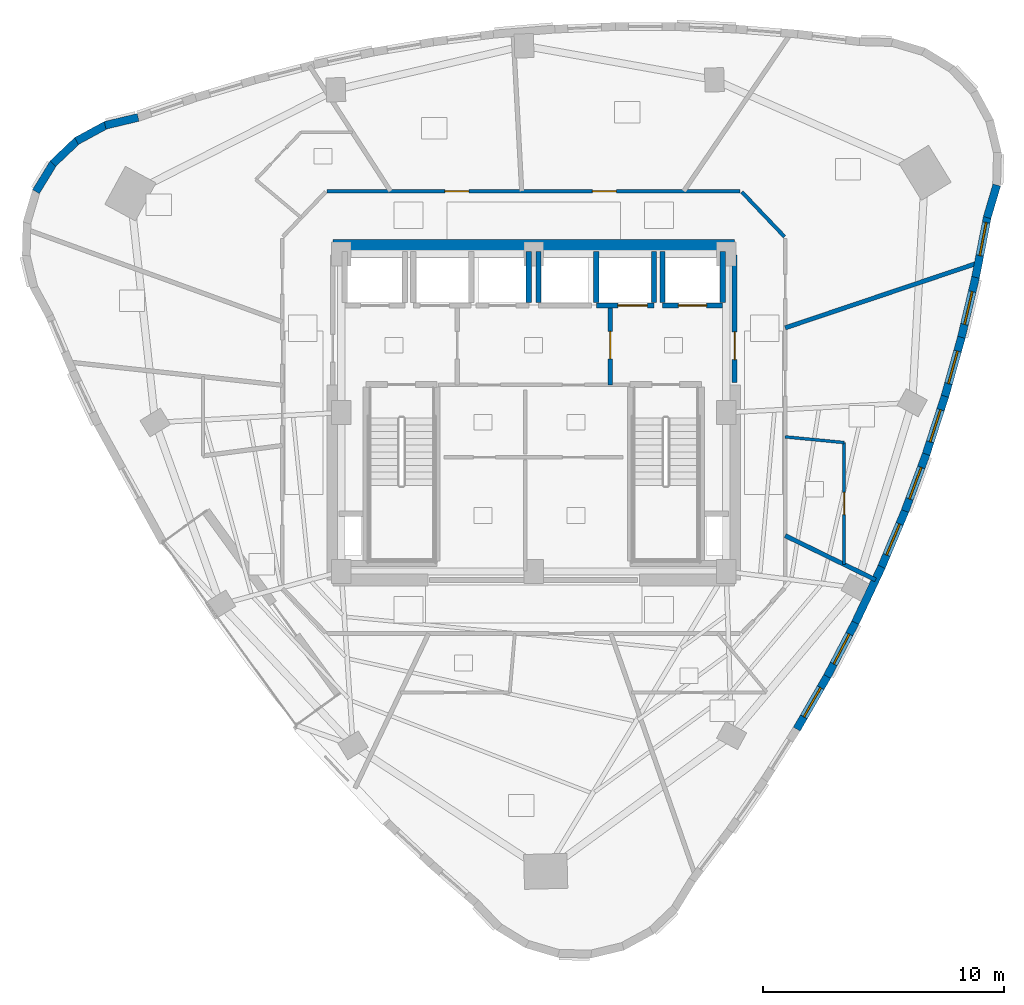
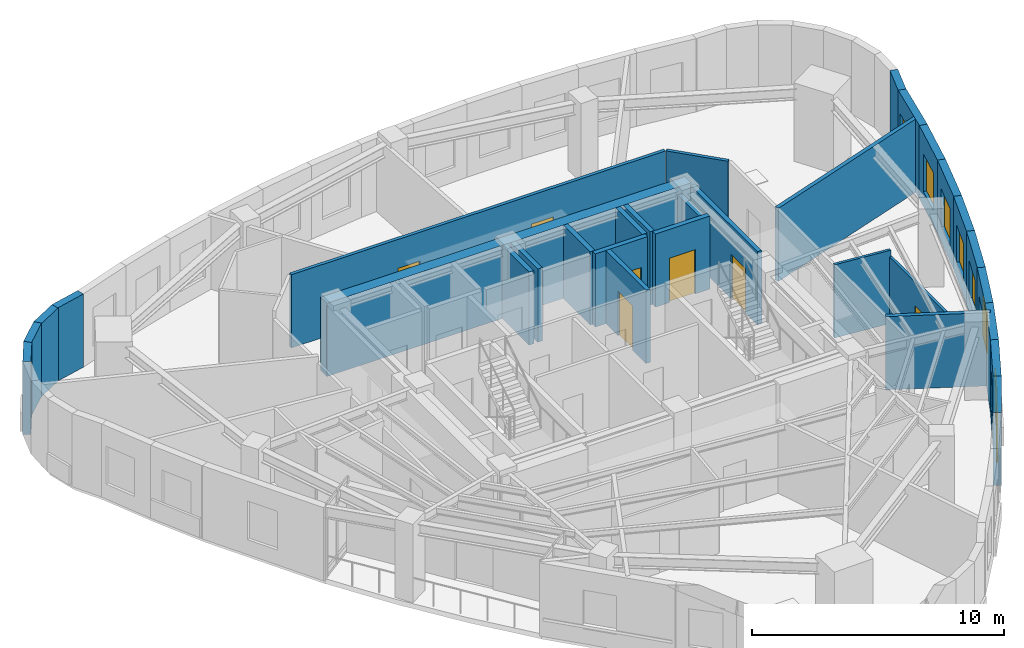
# One storey, part 8 of 12: 31 walls, 8 windows, 7 doors, 15 openings.
"""IFC4 building model written with IfcOpenShell, lengths in metres."""

from ifc_helpers import new_model, si_unit, direction, frame, frame_2d, origin, place, context, subcontext, project, spatial, rectangle, extrude, material, layer, layer_set, type_object, element, fill, save


model = new_model("IFC4")

# Units and contexts
model_context = context("Model", 3, precision=1e-05, world=origin(), true_north=direction((0.0, 1.0)))
body_context = subcontext(model_context, "Body", "Model", "MODEL_VIEW")
ifc_project = project(units=[si_unit("LENGTHUNIT", "METRE"), si_unit("AREAUNIT", "SQUARE_METRE"), si_unit("VOLUMEUNIT", "CUBIC_METRE"), si_unit("PLANEANGLEUNIT", "RADIAN"), si_unit("MASSUNIT", "GRAM", prefix="KILO")], contexts=[model_context])

# Site, building, storey
site_placement = place(None, origin())
site = spatial("IfcSite", under=ifc_project, at=site_placement, CompositionType="ELEMENT")
building_placement = place(site_placement, origin())
building = spatial("IfcBuilding", under=site, at=building_placement, Name="Ndelora Gate Hotel", CompositionType="ELEMENT")
storey_placement = place(building_placement, frame((0.0, 0.0, 232.14990234375)))
storey = spatial("IfcBuildingStorey", under=building, at=storey_placement, Name="L58", CompositionType="ELEMENT", Elevation=232.14990234375)

# Walls
ifc_material_1 = material(Name="Acoustic Double-Stud Gypsum Assembly", Category="gypsum")
ifc_layer_1 = layer(ifc_material_1, 0.179931640625)
ifc_layer_set_1 = layer_set([ifc_layer_1], Name="Acoustic Double-Stud Gypsum Assembly")
wall_type_1 = type_object("IfcWallType", Name="WL-ACOUST-180", PredefinedType="PARTITIONING", material=ifc_layer_set_1)
wall_1_placement = place(storey_placement, frame((10.449951171875, -5.1123046875, 0.0), z_axis=(0.0, 0.0, 1.0), x_axis=(0.89827266013, -0.439438537298, 0.0)))
element("IfcWall", 1, at=wall_1_placement, inside=storey, type_object=wall_type_1, Name="L58 Interior Wall IW-3", PredefinedType="PARTITIONING", context=body_context, shape_type="SweptSolid", body=[
    extrude(rectangle(XDim=4.178955078125, YDim=0.179931640625, at=frame_2d((2.08935546875, 0.0))), origin(), (0.0, 0.0, 1.0), 3.550048828125),
])
wall_2_placement = place(storey_placement, frame((10.449951171875, 3.52099609375, 0.0), z_axis=(0.0, 0.0, 1.0), x_axis=(0.947649729023, 0.319311745919, 0.0)))
element("IfcWall", 2, at=wall_2_placement, inside=storey, type_object=wall_type_1, Name="L58 Interior Wall IW-3", PredefinedType="PARTITIONING", context=body_context, shape_type="SweptSolid", body=[
    extrude(rectangle(XDim=8.473876953125, YDim=0.179931640625, at=frame_2d((4.23681640625, 0.0))), origin(), (0.0, 0.0, 1.0), 3.550048828125),
])
ifc_material_2 = material(Name="Clay Brick Masonry", Category="masonry")
ifc_layer_2 = layer(ifc_material_2, 0.330078125)
ifc_layer_set_2 = layer_set([ifc_layer_2], Name="Clay Brick Masonry")
wall_type_2 = type_object("IfcWallType", Name="WL-BRICK-330", PredefinedType="SOLIDWALL", material=ifc_layer_set_2)
wall_3_placement = place(storey_placement, frame((-17.809326171875, 11.9375, 0.0), z_axis=(0.0, 0.0, 1.0), x_axis=(0.972355799013, 0.23350417582, 0.0)))
element("IfcWall", 3, at=wall_3_placement, inside=storey, type_object=wall_type_2, Name="L58 Tower Brick Pier-and-Spandrel Wall TWR-1", PredefinedType="SOLIDWALL", context=body_context, shape_type="SweptSolid", body=[
    extrude(rectangle(XDim=1.4072265625, YDim=0.330078125, at=frame_2d((0.70361328125, 0.0))), origin(), (0.0, 0.0, 1.0), 3.550048828125),
])
wall_4_placement = place(storey_placement, frame((-19.0, 11.28369140625, 0.0), z_axis=(0.0, 0.0, 1.0), x_axis=(0.8789012206, 0.47700382014, 0.0)))
element("IfcWall", 4, at=wall_4_placement, inside=storey, type_object=wall_type_2, Name="L58 Tower Brick Pier-and-Spandrel Wall TWR-2", PredefinedType="SOLIDWALL", context=body_context, shape_type="SweptSolid", body=[
    extrude(rectangle(XDim=1.407470703125, YDim=0.330078125, at=frame_2d((0.70361328125, 0.0))), origin(), (0.0, 0.0, 1.0), 3.550048828125),
])
for number, where, z_axis, x_axis, name in (
    (5, (-19.980712890625, 10.343994140625, 0.0), (0.0, 0.0, 1.0), (0.725341527104, 0.688389184298, 0.0), "L58 Tower Brick Pier-and-Spandrel Wall TWR-3"),
    (6, (-20.68505859375, 9.1826171875, 0.0), (0.0, 0.0, 1.0), (0.522509174355, 0.852633662668, 0.0), "L58 Tower Brick Pier-and-Spandrel Wall TWR-4"),
):
    element("IfcWall", number, at=place(storey_placement, frame(where, z_axis=z_axis, x_axis=x_axis)), inside=storey, type_object=wall_type_2, Name=name, PredefinedType="SOLIDWALL", context=body_context, shape_type="SweptSolid", body=[
        extrude(rectangle(XDim=1.4072265625, YDim=0.330078125, at=frame_2d((0.70361328125, 0.0))), origin(), (0.0, 0.0, 1.0), 3.550048828125),
    ])

# Wall, opening, window
wall_5_placement = place(storey_placement, frame((12.22021484375, -10.9208984375, 0.0), z_axis=(0.0, 0.0, 1.0), x_axis=(-0.499875407217, -0.866097325513, 0.0)))
wall_5 = element("IfcWall", 7, at=wall_5_placement, inside=storey, type_object=wall_type_2, Name="L58 Tower Brick Pier-and-Spandrel Wall TWR-30", PredefinedType="SOLIDWALL", context=body_context, shape_type="SweptSolid", body=[
    extrude(rectangle(XDim=2.579345703125, YDim=0.330078125, at=frame_2d((1.28955078125, 0.0))), origin(), (0.0, 0.0, 1.0), 3.550048828125),
])
opening_1_placement = place(wall_5_placement, frame((0.589599609375, 0.0, 0.719970703125)))
opening_1 = element("IfcOpeningElement", 8, at=opening_1_placement, cuts=wall_5, Name="Opening W02", PredefinedType="OPENING", context=body_context, shape_type="SweptSolid", body=[
    extrude(rectangle(XDim=1.39990234375, YDim=1.840087890625, at=frame_2d((0.699951171875, 0.919921875))), frame((0.0, 0.175048828125, 0.0), z_axis=(0.0, -1.0, 0.0), x_axis=(1.0, 0.0, 0.0)), (0.0, 0.0, 1.0), 0.35009765625),
])
ifc_material_3 = material(Name="Insulated Low-E Double Glazing in Bronze Aluminium Frame", Category="aluminium")
window_type = type_object("IfcWindowType", Name="WN-DEEP-1400", PartitioningType="SINGLE_PANEL", PredefinedType="WINDOW", material=ifc_material_3)
window_1_placement = place(opening_1_placement, origin())
window_1 = element("IfcWindow", 9, at=window_1_placement, inside=storey, type_object=window_type, Name="L58 Deep-Set Brick-Pier Window W02", OverallHeight=1.840087890625, OverallWidth=1.39990234375, PartitioningType="SINGLE_PANEL", PredefinedType="WINDOW", context=body_context, shape_type="SweptSolid", body=[
    extrude(rectangle(XDim=1.39990234375, YDim=1.840087890625, at=frame_2d((0.699951171875, 0.919921875))), frame((0.0, 0.030029296875, 0.0), z_axis=(0.0, -1.0, 0.0), x_axis=(1.0, 0.0, 0.0)), (0.0, 0.0, 1.0), 0.06005859375),
])
fill(opening_1, window_1)

wall_6_placement = place(storey_placement, frame((13.38720703125, -8.6865234375, 0.0), z_axis=(0.0, 0.0, 1.0), x_axis=(-0.463361004434, -0.886169611062, 0.0)))
wall_6 = element("IfcWall", 10, at=wall_6_placement, inside=storey, type_object=wall_type_2, Name="L58 Tower Brick Pier-and-Spandrel Wall TWR-31", PredefinedType="SOLIDWALL", context=body_context, shape_type="SweptSolid", body=[
    extrude(rectangle(XDim=2.57080078125, YDim=0.330078125, at=frame_2d((1.285400390625, 0.0))), origin(), (0.0, 0.0, 1.0), 3.550048828125),
])
opening_2_placement = place(wall_6_placement, frame((0.585205078125, 0.0, 0.719970703125)))
opening_2 = element("IfcOpeningElement", 11, at=opening_2_placement, cuts=wall_6, Name="Opening W02", PredefinedType="OPENING", context=body_context, shape_type="SweptSolid", body=[
    extrude(rectangle(XDim=1.39990234375, YDim=1.840087890625, at=frame_2d((0.699951171875, 0.919921875))), frame((0.0, 0.175048828125, 0.0), z_axis=(0.0, -1.0, 0.0), x_axis=(1.0, 0.0, 0.0)), (0.0, 0.0, 1.0), 0.35009765625),
])
window_2_placement = place(opening_2_placement, origin())
window_2 = element("IfcWindow", 12, at=window_2_placement, inside=storey, type_object=window_type, Name="L58 Deep-Set Brick-Pier Window W02", OverallHeight=1.840087890625, OverallWidth=1.39990234375, PartitioningType="SINGLE_PANEL", PredefinedType="WINDOW", context=body_context, shape_type="SweptSolid", body=[
    extrude(rectangle(XDim=1.39990234375, YDim=1.840087890625, at=frame_2d((0.699951171875, 0.919921875))), frame((0.0, 0.030029296875, 0.0), z_axis=(0.0, -1.0, 0.0), x_axis=(1.0, 0.0, 0.0)), (0.0, 0.0, 1.0), 0.06005859375),
])
fill(opening_2, window_2)

# Wall
wall_7_placement = place(storey_placement, frame((14.45751953125, -6.40966796875, 0.0), z_axis=(0.0, 0.0, 1.0), x_axis=(-0.425774125911, -0.90482948322, 0.0)))
element("IfcWall", 13, at=wall_7_placement, inside=storey, type_object=wall_type_2, Name="L58 Tower Brick Pier-and-Spandrel Wall TWR-32", PredefinedType="SOLIDWALL", context=body_context, shape_type="SweptSolid", body=[
    extrude(rectangle(XDim=2.56591796875, YDim=0.330078125, at=frame_2d((1.282958984375, 0.0))), origin(), (0.0, 0.0, 1.0), 3.550048828125),
])

# Wall, opening, window
wall_8_placement = place(storey_placement, frame((15.431640625, -4.089599609375, 0.0), z_axis=(0.0, 0.0, 1.0), x_axis=(-0.387525243304, -0.921859092162, 0.0)))
wall_8 = element("IfcWall", 14, at=wall_8_placement, inside=storey, type_object=wall_type_2, Name="L58 Tower Brick Pier-and-Spandrel Wall TWR-33", PredefinedType="SOLIDWALL", context=body_context, shape_type="SweptSolid", body=[
    extrude(rectangle(XDim=2.56591796875, YDim=0.330078125, at=frame_2d((1.282958984375, 0.0))), origin(), (0.0, 0.0, 1.0), 3.550048828125),
])
opening_3_placement = place(wall_8_placement, frame((0.5830078125, 0.0, 0.719970703125)))
opening_3 = element("IfcOpeningElement", 15, at=opening_3_placement, cuts=wall_8, Name="Opening W02", PredefinedType="OPENING", context=body_context, shape_type="SweptSolid", body=[
    extrude(rectangle(XDim=1.39990234375, YDim=1.840087890625, at=frame_2d((0.699951171875, 0.919921875))), frame((0.0, 0.175048828125, 0.0), z_axis=(0.0, -1.0, 0.0), x_axis=(1.0, 0.0, 0.0)), (0.0, 0.0, 1.0), 0.35009765625),
])
window_3_placement = place(opening_3_placement, origin())
window_3 = element("IfcWindow", 16, at=window_3_placement, inside=storey, type_object=window_type, Name="L58 Deep-Set Brick-Pier Window W02", OverallHeight=1.840087890625, OverallWidth=1.39990234375, PartitioningType="SINGLE_PANEL", PredefinedType="WINDOW", context=body_context, shape_type="SweptSolid", body=[
    extrude(rectangle(XDim=1.39990234375, YDim=1.840087890625, at=frame_2d((0.699951171875, 0.919921875))), frame((0.0, 0.030029296875, 0.0), z_axis=(0.0, -1.0, 0.0), x_axis=(1.0, 0.0, 0.0)), (0.0, 0.0, 1.0), 0.06005859375),
])
fill(opening_3, window_3)

wall_9_placement = place(storey_placement, frame((16.30908203125, -1.726806640625, 0.0), z_axis=(0.0, 0.0, 1.0), x_axis=(-0.348582368666, -0.937278150954, 0.0)))
wall_9 = element("IfcWall", 17, at=wall_9_placement, inside=storey, type_object=wall_type_2, Name="L58 Tower Brick Pier-and-Spandrel Wall TWR-34", PredefinedType="SOLIDWALL", context=body_context, shape_type="SweptSolid", body=[
    extrude(rectangle(XDim=2.5703125, YDim=0.330078125, at=frame_2d((1.28515625, 0.0))), origin(), (0.0, 0.0, 1.0), 3.550048828125),
])
opening_4_placement = place(wall_9_placement, frame((0.585205078125, 0.0, 0.719970703125)))
opening_4 = element("IfcOpeningElement", 18, at=opening_4_placement, cuts=wall_9, Name="Opening W02", PredefinedType="OPENING", context=body_context, shape_type="SweptSolid", body=[
    extrude(rectangle(XDim=1.39990234375, YDim=1.840087890625, at=frame_2d((0.699951171875, 0.919921875))), frame((0.0, 0.175048828125, 0.0), z_axis=(0.0, -1.0, 0.0), x_axis=(1.0, 0.0, 0.0)), (0.0, 0.0, 1.0), 0.35009765625),
])
window_4_placement = place(opening_4_placement, origin())
window_4 = element("IfcWindow", 19, at=window_4_placement, inside=storey, type_object=window_type, Name="L58 Deep-Set Brick-Pier Window W02", OverallHeight=1.840087890625, OverallWidth=1.39990234375, PartitioningType="SINGLE_PANEL", PredefinedType="WINDOW", context=body_context, shape_type="SweptSolid", body=[
    extrude(rectangle(XDim=1.39990234375, YDim=1.840087890625, at=frame_2d((0.699951171875, 0.919921875))), frame((0.0, 0.030029296875, 0.0), z_axis=(0.0, -1.0, 0.0), x_axis=(1.0, 0.0, 0.0)), (0.0, 0.0, 1.0), 0.06005859375),
])
fill(opening_4, window_4)

wall_10_placement = place(storey_placement, frame((17.090087890625, 0.678955078125, 0.0), z_axis=(0.0, 0.0, 1.0), x_axis=(-0.309148141518, -0.951013894008, 0.0)))
wall_10 = element("IfcWall", 20, at=wall_10_placement, inside=storey, type_object=wall_type_2, Name="L58 Tower Brick Pier-and-Spandrel Wall TWR-35", PredefinedType="SOLIDWALL", context=body_context, shape_type="SweptSolid", body=[
    extrude(rectangle(XDim=2.579345703125, YDim=0.330078125, at=frame_2d((1.28955078125, 0.0))), origin(), (0.0, 0.0, 1.0), 3.550048828125),
])
opening_5_placement = place(wall_10_placement, frame((0.589599609375, 0.0, 0.719970703125)))
opening_5 = element("IfcOpeningElement", 21, at=opening_5_placement, cuts=wall_10, Name="Opening W02", PredefinedType="OPENING", context=body_context, shape_type="SweptSolid", body=[
    extrude(rectangle(XDim=1.39990234375, YDim=1.840087890625, at=frame_2d((0.699951171875, 0.919921875))), frame((0.0, 0.175048828125, 0.0), z_axis=(0.0, -1.0, 0.0), x_axis=(1.0, 0.0, 0.0)), (0.0, 0.0, 1.0), 0.35009765625),
])
window_5_placement = place(opening_5_placement, origin())
window_5 = element("IfcWindow", 22, at=window_5_placement, inside=storey, type_object=window_type, Name="L58 Deep-Set Brick-Pier Window W02", OverallHeight=1.840087890625, OverallWidth=1.39990234375, PartitioningType="SINGLE_PANEL", PredefinedType="WINDOW", context=body_context, shape_type="SweptSolid", body=[
    extrude(rectangle(XDim=1.39990234375, YDim=1.840087890625, at=frame_2d((0.699951171875, 0.919921875))), frame((0.0, 0.030029296875, 0.0), z_axis=(0.0, -1.0, 0.0), x_axis=(1.0, 0.0, 0.0)), (0.0, 0.0, 1.0), 0.06005859375),
])
fill(opening_5, window_5)

wall_11_placement = place(storey_placement, frame((17.77490234375, 3.127685546875, 0.0), z_axis=(0.0, 0.0, 1.0), x_axis=(-0.26969279574, -0.962946413839, 0.0)))
wall_11 = element("IfcWall", 23, at=wall_11_placement, inside=storey, type_object=wall_type_2, Name="L58 Tower Brick Pier-and-Spandrel Wall TWR-36", PredefinedType="SOLIDWALL", context=body_context, shape_type="SweptSolid", body=[
    extrude(rectangle(XDim=2.592529296875, YDim=0.330078125, at=frame_2d((1.29638671875, 0.0))), origin(), (0.0, 0.0, 1.0), 3.550048828125),
])
opening_6_placement = place(wall_11_placement, frame((0.59619140625, 0.0, 0.719970703125)))
opening_6 = element("IfcOpeningElement", 24, at=opening_6_placement, cuts=wall_11, Name="Opening W02", PredefinedType="OPENING", context=body_context, shape_type="SweptSolid", body=[
    extrude(rectangle(XDim=1.39990234375, YDim=1.840087890625, at=frame_2d((0.699951171875, 0.919921875))), frame((0.0, 0.175048828125, 0.0), z_axis=(0.0, -1.0, 0.0), x_axis=(1.0, 0.0, 0.0)), (0.0, 0.0, 1.0), 0.35009765625),
])
window_6_placement = place(opening_6_placement, origin())
window_6 = element("IfcWindow", 25, at=window_6_placement, inside=storey, type_object=window_type, Name="L58 Deep-Set Brick-Pier Window W02", OverallHeight=1.840087890625, OverallWidth=1.39990234375, PartitioningType="SINGLE_PANEL", PredefinedType="WINDOW", context=body_context, shape_type="SweptSolid", body=[
    extrude(rectangle(XDim=1.39990234375, YDim=1.840087890625, at=frame_2d((0.699951171875, 0.919921875))), frame((0.0, 0.030029296875, 0.0), z_axis=(0.0, -1.0, 0.0), x_axis=(1.0, 0.0, 0.0)), (0.0, 0.0, 1.0), 0.06005859375),
])
fill(opening_6, window_6)

wall_12_placement = place(storey_placement, frame((18.36328125, 5.619140625, 0.0), z_axis=(0.0, 0.0, 1.0), x_axis=(-0.230212303812, -0.973140429318, 0.0)))
wall_12 = element("IfcWall", 26, at=wall_12_placement, inside=storey, type_object=wall_type_2, Name="L58 Tower Brick Pier-and-Spandrel Wall TWR-37", PredefinedType="SOLIDWALL", context=body_context, shape_type="SweptSolid", body=[
    extrude(rectangle(XDim=2.60986328125, YDim=0.330078125, at=frame_2d((1.304931640625, 0.0))), origin(), (0.0, 0.0, 1.0), 3.550048828125),
])
opening_7_placement = place(wall_12_placement, frame((0.60498046875, 0.0, 0.719970703125)))
opening_7 = element("IfcOpeningElement", 27, at=opening_7_placement, cuts=wall_12, Name="Opening W02", PredefinedType="OPENING", context=body_context, shape_type="SweptSolid", body=[
    extrude(rectangle(XDim=1.39990234375, YDim=1.840087890625, at=frame_2d((0.699951171875, 0.919921875))), frame((0.0, 0.175048828125, 0.0), z_axis=(0.0, -1.0, 0.0), x_axis=(1.0, 0.0, 0.0)), (0.0, 0.0, 1.0), 0.35009765625),
])
window_7_placement = place(opening_7_placement, origin())
window_7 = element("IfcWindow", 28, at=window_7_placement, inside=storey, type_object=window_type, Name="L58 Deep-Set Brick-Pier Window W02", OverallHeight=1.840087890625, OverallWidth=1.39990234375, PartitioningType="SINGLE_PANEL", PredefinedType="WINDOW", context=body_context, shape_type="SweptSolid", body=[
    extrude(rectangle(XDim=1.39990234375, YDim=1.840087890625, at=frame_2d((0.699951171875, 0.919921875))), frame((0.0, 0.030029296875, 0.0), z_axis=(0.0, -1.0, 0.0), x_axis=(1.0, 0.0, 0.0)), (0.0, 0.0, 1.0), 0.06005859375),
])
fill(opening_7, window_7)

wall_13_placement = place(storey_placement, frame((18.85498046875, 8.153564453125, 0.0), z_axis=(0.0, 0.0, 1.0), x_axis=(-0.190921803472, -0.981605249048, 0.0)))
wall_13 = element("IfcWall", 29, at=wall_13_placement, inside=storey, type_object=wall_type_2, Name="L58 Tower Brick Pier-and-Spandrel Wall TWR-38", PredefinedType="SOLIDWALL", context=body_context, shape_type="SweptSolid", body=[
    extrude(rectangle(XDim=2.631591796875, YDim=0.330078125, at=frame_2d((1.31591796875, 0.0))), origin(), (0.0, 0.0, 1.0), 3.550048828125),
])
opening_8_placement = place(wall_13_placement, frame((0.260009765625, 0.0, 0.719970703125)))
opening_8 = element("IfcOpeningElement", 30, at=opening_8_placement, cuts=wall_13, Name="Opening W02", PredefinedType="OPENING", context=body_context, shape_type="SweptSolid", body=[
    extrude(rectangle(XDim=1.39990234375, YDim=1.840087890625, at=frame_2d((0.699951171875, 0.919921875))), frame((0.0, 0.175048828125, 0.0), z_axis=(0.0, -1.0, 0.0), x_axis=(1.0, 0.0, 0.0)), (0.0, 0.0, 1.0), 0.35009765625),
])
window_8_placement = place(opening_8_placement, origin())
window_8 = element("IfcWindow", 31, at=window_8_placement, inside=storey, type_object=window_type, Name="L58 Deep-Set Brick-Pier Window W02", OverallHeight=1.840087890625, OverallWidth=1.39990234375, PartitioningType="SINGLE_PANEL", PredefinedType="WINDOW", context=body_context, shape_type="SweptSolid", body=[
    extrude(rectangle(XDim=1.39990234375, YDim=1.840087890625, at=frame_2d((0.699951171875, 0.919921875))), frame((0.0, 0.030029296875, 0.0), z_axis=(0.0, -1.0, 0.0), x_axis=(1.0, 0.0, 0.0)), (0.0, 0.0, 1.0), 0.06005859375),
])
fill(opening_8, window_8)

# Walls
wall_14_placement = place(storey_placement, frame((19.242919921875, 9.45458984375, 0.0), z_axis=(0.0, 0.0, 1.0), x_axis=(-0.284100140437, -0.958794613149, 0.0)))
element("IfcWall", 32, at=wall_14_placement, inside=storey, type_object=wall_type_2, Name="L58 Tower Brick Pier-and-Spandrel Wall TWR-39", PredefinedType="SOLIDWALL", context=body_context, shape_type="SweptSolid", body=[
    extrude(rectangle(XDim=1.40771484375, YDim=0.330078125, at=frame_2d((0.703857421875, 0.0))), origin(), (0.0, 0.0, 1.0), 3.550048828125),
])
ifc_material_4 = material(Name="Concrete C50/60", Category="concrete")
ifc_layer_3 = layer(ifc_material_4, 0.5)
ifc_layer_set_3 = layer_set([ifc_layer_3], Name="Concrete C50/60")
wall_type_3 = type_object("IfcWallType", Name="WL-CORE-500", PredefinedType="SHEAR", material=ifc_layer_set_3)
wall_15_placement = place(storey_placement, frame((-8.35009765625, 6.949951171875, 0.0), z_axis=(0.0, 0.0, 1.0), x_axis=(1.0, 0.0, 0.0)))
element("IfcWall", 33, at=wall_15_placement, inside=storey, type_object=wall_type_3, Name="L58 Core Shear Wall N", PredefinedType="SHEAR", context=body_context, shape_type="SweptSolid", body=[
    extrude(rectangle(XDim=16.7001953125, YDim=0.5, at=frame_2d((8.35009765625, 0.0))), origin(), (0.0, 0.0, 1.0), 3.550048828125),
])

# Wall, opening, door
ifc_material_5 = material(Name="Concrete C40/50", Category="concrete")
ifc_layer_4 = layer(ifc_material_5, 0.199951171875)
ifc_layer_set_4 = layer_set([ifc_layer_4], Name="Concrete C40/50")
wall_type_4 = type_object("IfcWallType", Name="WL-FIRE-200", PredefinedType="PARTITIONING", material=ifc_layer_set_4)
wall_16_placement = place(storey_placement, frame((3.179931640625, 1.14990234375, 0.0), z_axis=(0.0, 0.0, 1.0), x_axis=(0.0, 1.0, 0.0)))
wall_16 = element("IfcWall", 34, at=wall_16_placement, inside=storey, type_object=wall_type_4, Name="L58 Interior Wall IW-2", PredefinedType="PARTITIONING", context=body_context, shape_type="SweptSolid", body=[
    extrude(rectangle(XDim=3.300048828125, YDim=0.199951171875, at=frame_2d((1.64990234375, 0.0))), origin(), (0.0, 0.0, 1.0), 3.550048828125),
])
opening_9_placement = place(wall_16_placement, frame((1.080078125, 0.0, 0.0)))
opening_9 = element("IfcOpeningElement", 35, at=opening_9_placement, cuts=wall_16, Name="Opening FD1", PredefinedType="OPENING", context=body_context, shape_type="SweptSolid", body=[
    extrude(rectangle(XDim=1.14990234375, YDim=2.14990234375, at=frame_2d((0.574951171875, 1.074951171875))), frame((0.0, 0.10986328125, 0.0), z_axis=(0.0, -1.0, 0.0), x_axis=(1.0, 0.0, 0.0)), (0.0, 0.0, 1.0), 0.219970703125),
])
ifc_material_6 = material(Name="Fire-Rated Timber-Veneer Steel Core", Category="steel")
door_type_1 = type_object("IfcDoorType", Name="DR-FD60", OperationType="SINGLE_SWING_LEFT", PredefinedType="DOOR", material=ifc_material_6)
door_1_placement = place(opening_9_placement, origin())
door_1 = element("IfcDoor", 36, at=door_1_placement, inside=storey, type_object=door_type_1, Name="L58 Firefighting Lobby East Door", OperationType="SINGLE_SWING_LEFT", OverallHeight=2.14990234375, OverallWidth=1.14990234375, PredefinedType="DOOR", context=body_context, shape_type="SweptSolid", body=[
    extrude(rectangle(XDim=1.14990234375, YDim=2.14990234375, at=frame_2d((0.574951171875, 1.074951171875))), frame((0.0, 0.02490234375, 0.0), z_axis=(0.0, -1.0, 0.0), x_axis=(1.0, 0.0, 0.0)), (0.0, 0.0, 1.0), 0.050048828125),
])
fill(opening_9, door_1)

wall_17_placement = place(storey_placement, frame((8.35009765625, 1.25, 0.0), z_axis=(0.0, 0.0, 1.0), x_axis=(0.0, 1.0, 0.0)))
wall_17 = element("IfcWall", 37, at=wall_17_placement, inside=storey, type_object=wall_type_4, Name="L58 Interior Wall IW-2", PredefinedType="PARTITIONING", context=body_context, shape_type="SweptSolid", body=[
    extrude(rectangle(XDim=5.300048828125, YDim=0.199951171875, at=frame_2d((2.64990234375, 0.0))), origin(), (0.0, 0.0, 1.0), 3.550048828125),
])
opening_10_placement = place(wall_17_placement, frame((0.949951171875, 0.0, 0.0)))
opening_10 = element("IfcOpeningElement", 38, at=opening_10_placement, cuts=wall_17, Name="Opening FD1", PredefinedType="OPENING", context=body_context, shape_type="SweptSolid", body=[
    extrude(rectangle(XDim=1.14990234375, YDim=2.14990234375, at=frame_2d((0.574951171875, 1.074951171875))), frame((0.0, 0.10986328125, 0.0), z_axis=(0.0, -1.0, 0.0), x_axis=(1.0, 0.0, 0.0)), (0.0, 0.0, 1.0), 0.219970703125),
])
door_2_placement = place(opening_10_placement, origin())
door_2 = element("IfcDoor", 39, at=door_2_placement, inside=storey, type_object=door_type_1, Name="L58 Firefighting Lobby East Corridor Door", OperationType="SINGLE_SWING_RIGHT", OverallHeight=2.14990234375, OverallWidth=1.14990234375, PredefinedType="DOOR", context=body_context, shape_type="SweptSolid", body=[
    extrude(rectangle(XDim=1.14990234375, YDim=2.14990234375, at=frame_2d((0.574951171875, 1.074951171875))), frame((0.0, 0.02490234375, 0.0), z_axis=(0.0, -1.0, 0.0), x_axis=(1.0, 0.0, 0.0)), (0.0, 0.0, 1.0), 0.050048828125),
])
fill(opening_10, door_2)

# Wall
ifc_material_7 = material(Name="Fire-Rated Gypsum Stud Partition", Category="gypsum")
ifc_layer_5 = layer(ifc_material_7, 0.14990234375)
ifc_layer_set_5 = layer_set([ifc_layer_5], Name="Fire-Rated Gypsum Stud Partition")
wall_type_5 = type_object("IfcWallType", Name="WL-PART-150", PredefinedType="PARTITIONING", material=ifc_layer_set_5)
wall_18_placement = place(storey_placement, frame((8.647705078125, 9.1708984375, 0.0), z_axis=(0.0, 0.0, 1.0), x_axis=(0.689960858356, -0.723846678473, 0.0)))
element("IfcWall", 40, at=wall_18_placement, inside=storey, type_object=wall_type_5, Name="L58 Interior Wall IW-5", PredefinedType="PARTITIONING", context=body_context, shape_type="SweptSolid", body=[
    extrude(rectangle(XDim=2.572021484375, YDim=0.14990234375, at=frame_2d((1.2861328125, 0.0))), origin(), (0.0, 0.0, 1.0), 3.550048828125),
])

# Wall, openings, doors
wall_19_placement = place(storey_placement, frame((-8.580078125, 9.199951171875, 0.0), z_axis=(0.0, 0.0, 1.0), x_axis=(1.0, 0.0, 0.0)))
wall_19 = element("IfcWall", 41, at=wall_19_placement, inside=storey, type_object=wall_type_5, Name="L58 Interior Wall IW-5", PredefinedType="PARTITIONING", context=body_context, shape_type="SweptSolid", body=[
    extrude(rectangle(XDim=17.16015625, YDim=0.14990234375, at=frame_2d((8.580078125, 0.0))), origin(), (0.0, 0.0, 1.0), 3.550048828125),
])
opening_11_placement = place(wall_19_placement, frame((4.8896484375, 0.0, 0.0)))
opening_11 = element("IfcOpeningElement", 42, at=opening_11_placement, cuts=wall_19, Name="Opening D01", PredefinedType="OPENING", context=body_context, shape_type="SweptSolid", body=[
    extrude(rectangle(XDim=1.0, YDim=2.14990234375, at=frame_2d((0.5, 1.074951171875))), frame((0.0, 0.0849609375, 0.0), z_axis=(0.0, -1.0, 0.0), x_axis=(1.0, 0.0, 0.0)), (0.0, 0.0, 1.0), 0.169921875),
])
opening_12_placement = place(wall_19_placement, frame((11.01611328125, 0.0, 0.0)))
opening_12 = element("IfcOpeningElement", 43, at=opening_12_placement, cuts=wall_19, Name="Opening D01", PredefinedType="OPENING", context=body_context, shape_type="SweptSolid", body=[
    extrude(rectangle(XDim=1.0, YDim=2.14990234375, at=frame_2d((0.5, 1.074951171875))), frame((0.0, 0.0849609375, 0.0), z_axis=(0.0, -1.0, 0.0), x_axis=(1.0, 0.0, 0.0)), (0.0, 0.0, 1.0), 0.169921875),
])
ifc_material_8 = material(Name="Acoustic Hardwood Guest Entrance Door", Category="wood")
door_type_2 = type_object("IfcDoorType", Name="DR-COR-1000", OperationType="SINGLE_SWING_LEFT", PredefinedType="DOOR", material=ifc_material_8)
door_3_placement = place(opening_11_placement, origin())
door_3 = element("IfcDoor", 44, at=door_3_placement, inside=storey, type_object=door_type_2, Name="L58 Chef Service Kitchen Entrance Door", OperationType="SINGLE_SWING_RIGHT", OverallHeight=2.14990234375, OverallWidth=1.0, PredefinedType="DOOR", context=body_context, shape_type="SweptSolid", body=[
    extrude(rectangle(XDim=1.0, YDim=2.14990234375, at=frame_2d((0.5, 1.074951171875))), frame((0.0, 0.02490234375, 0.0), z_axis=(0.0, -1.0, 0.0), x_axis=(1.0, 0.0, 0.0)), (0.0, 0.0, 1.0), 0.050048828125),
])
fill(opening_11, door_3)
door_4_placement = place(opening_12_placement, origin())
door_4 = element("IfcDoor", 45, at=door_4_placement, inside=storey, type_object=door_type_2, Name="L58 Altitude Fitness Gym Entrance Door", OperationType="SINGLE_SWING_RIGHT", OverallHeight=2.14990234375, OverallWidth=1.0, PredefinedType="DOOR", context=body_context, shape_type="SweptSolid", body=[
    extrude(rectangle(XDim=1.0, YDim=2.14990234375, at=frame_2d((0.5, 1.074951171875))), frame((0.0, 0.02490234375, 0.0), z_axis=(0.0, -1.0, 0.0), x_axis=(1.0, 0.0, 0.0)), (0.0, 0.0, 1.0), 0.050048828125),
])
fill(opening_12, door_4)

# Wall, opening, door
ifc_layer_6 = layer(ifc_material_5, 0.219970703125)
ifc_layer_set_6 = layer_set([ifc_layer_6], Name="Concrete C40/50")
wall_type_6 = type_object("IfcWallType", Name="WL-SHAFT-220", PredefinedType="PARTITIONING", material=ifc_layer_set_6)
wall_20_placement = place(storey_placement, frame((5.35009765625, 4.449951171875, 0.0), z_axis=(0.0, 0.0, 1.0), x_axis=(1.0, 0.0, 0.0)))
wall_20 = element("IfcWall", 46, at=wall_20_placement, inside=storey, type_object=wall_type_6, Name="L58 Interior Wall IW-1", PredefinedType="PARTITIONING", context=body_context, shape_type="SweptSolid", body=[
    extrude(rectangle(XDim=2.5, YDim=0.219970703125, at=frame_2d((1.25, 0.0))), origin(), (0.0, 0.0, 1.0), 3.550048828125),
])
opening_13_placement = place(wall_20_placement, frame((0.659912109375, 0.0, 0.0)))
opening_13 = element("IfcOpeningElement", 47, at=opening_13_placement, cuts=wall_20, Name="Opening LD5", PredefinedType="OPENING", context=body_context, shape_type="SweptSolid", body=[
    extrude(rectangle(XDim=1.179931640625, YDim=2.14990234375, at=frame_2d((0.58984375, 1.074951171875))), frame((0.0, 0.1201171875, 0.0), z_axis=(0.0, -1.0, 0.0), x_axis=(1.0, 0.0, 0.0)), (0.0, 0.0, 1.0), 0.239990234375),
])
ifc_material_9 = material(Name="Firefighting Lift Stainless Sliding Landing Door", Category="metal")
door_type_3 = type_object("IfcDoorType", Name="DR-LD5", OperationType="DOUBLE_DOOR_SLIDING", PredefinedType="DOOR", material=ifc_material_9)
door_5_placement = place(opening_13_placement, origin())
door_5 = element("IfcDoor", 48, at=door_5_placement, inside=storey, type_object=door_type_3, Name="L58 Lift Landing Sliding Door FFL2", OperationType="DOUBLE_DOOR_SLIDING", OverallHeight=2.14990234375, OverallWidth=1.179931640625, PredefinedType="DOOR", context=body_context, shape_type="SweptSolid", body=[
    extrude(rectangle(XDim=1.179931640625, YDim=2.14990234375, at=frame_2d((0.58984375, 1.074951171875))), frame((0.0, 0.02490234375, 0.0), z_axis=(0.0, -1.0, 0.0), x_axis=(1.0, 0.0, 0.0)), (0.0, 0.0, 1.0), 0.050048828125),
])
fill(opening_13, door_5)

# Walls
wall_21_placement = place(storey_placement, frame((5.35009765625, 4.570068359375, 0.0), z_axis=(0.0, 0.0, 1.0), x_axis=(0.0, 1.0, 0.0)))
element("IfcWall", 49, at=wall_21_placement, inside=storey, type_object=wall_type_6, Name="L58 Interior Wall IW-1", PredefinedType="PARTITIONING", context=body_context, shape_type="SweptSolid", body=[
    extrude(rectangle(XDim=2.1298828125, YDim=0.219970703125, at=frame_2d((1.06494140625, 0.0))), origin(), (0.0, 0.0, 1.0), 3.550048828125),
])
wall_22_placement = place(storey_placement, frame((7.85009765625, 4.570068359375, 0.0), z_axis=(0.0, 0.0, 1.0), x_axis=(0.0, 1.0, 0.0)))
element("IfcWall", 50, at=wall_22_placement, inside=storey, type_object=wall_type_6, Name="L58 Interior Wall IW-1", PredefinedType="PARTITIONING", context=body_context, shape_type="SweptSolid", body=[
    extrude(rectangle(XDim=2.1298828125, YDim=0.219970703125, at=frame_2d((1.06494140625, 0.0))), origin(), (0.0, 0.0, 1.0), 3.18017578125),
])

# Wall, opening, door
wall_23_placement = place(storey_placement, frame((2.60009765625, 4.449951171875, 0.0), z_axis=(0.0, 0.0, 1.0), x_axis=(1.0, 0.0, 0.0)))
wall_23 = element("IfcWall", 51, at=wall_23_placement, inside=storey, type_object=wall_type_6, Name="L58 Interior Wall IW-1", PredefinedType="PARTITIONING", context=body_context, shape_type="SweptSolid", body=[
    extrude(rectangle(XDim=2.39990234375, YDim=0.219970703125, at=frame_2d((1.199951171875, 0.0))), origin(), (0.0, 0.0, 1.0), 3.550048828125),
])
opening_14_placement = place(wall_23_placement, frame((0.89990234375, 0.0, 0.0)))
opening_14 = element("IfcOpeningElement", 52, at=opening_14_placement, cuts=wall_23, Name="Opening LD6", PredefinedType="OPENING", context=body_context, shape_type="SweptSolid", body=[
    extrude(rectangle(XDim=1.219970703125, YDim=2.14990234375, at=frame_2d((0.60986328125, 1.074951171875))), frame((0.0, 0.1201171875, 0.0), z_axis=(0.0, -1.0, 0.0), x_axis=(1.0, 0.0, 0.0)), (0.0, 0.0, 1.0), 0.239990234375),
])
ifc_material_10 = material(Name="Heavy-Duty Service Lift Sliding Landing Door", Category="wood")
door_type_4 = type_object("IfcDoorType", Name="DR-LD6", OperationType="DOUBLE_DOOR_SLIDING", PredefinedType="DOOR", material=ifc_material_10)
door_6_placement = place(opening_14_placement, origin())
door_6 = element("IfcDoor", 53, at=door_6_placement, inside=storey, type_object=door_type_4, Name="L58 Lift Landing Sliding Door SVL2", OperationType="DOUBLE_DOOR_SLIDING", OverallHeight=2.14990234375, OverallWidth=1.219970703125, PredefinedType="DOOR", context=body_context, shape_type="SweptSolid", body=[
    extrude(rectangle(XDim=1.219970703125, YDim=2.14990234375, at=frame_2d((0.60986328125, 1.074951171875))), frame((0.0, 0.02490234375, 0.0), z_axis=(0.0, -1.0, 0.0), x_axis=(1.0, 0.0, 0.0)), (0.0, 0.0, 1.0), 0.050048828125),
])
fill(opening_14, door_6)

# Walls
for number, where, z_axis, x_axis, name in (
    (54, (2.60009765625, 4.570068359375, 0.0), (0.0, 0.0, 1.0), (0.0, 1.0, 0.0), "L58 Interior Wall IW-1"),
    (55, (5.0, 4.570068359375, 0.0), (0.0, 0.0, 1.0), (0.0, 1.0, 0.0), "L58 Interior Wall IW-1"),
    (56, (-0.199951171875, 4.570068359375, 0.0), (0.0, 0.0, 1.0), (0.0, 1.0, 0.0), "L58 Interior Wall IW-1"),
    (57, (0.199951171875, 4.570068359375, 0.0), (0.0, 0.0, 1.0), (0.0, 1.0, 0.0), "L58 Interior Wall IW-1"),
):
    element("IfcWall", number, at=place(storey_placement, frame(where, z_axis=z_axis, x_axis=x_axis)), inside=storey, type_object=wall_type_6, Name=name, PredefinedType="PARTITIONING", context=body_context, shape_type="SweptSolid", body=[
        extrude(rectangle(XDim=2.1298828125, YDim=0.219970703125, at=frame_2d((1.06494140625, 0.0))), origin(), (0.0, 0.0, 1.0), 3.550048828125),
    ])
ifc_material_11 = material(Name="Moisture-Resistant Bathroom Tile Partition", Category="gypsum")
ifc_layer_7 = layer(ifc_material_11, 0.1201171875)
ifc_layer_set_7 = layer_set([ifc_layer_7], Name="Moisture-Resistant Bathroom Tile Partition")
wall_type_7 = type_object("IfcWallType", Name="WL-WET-120", PredefinedType="PARTITIONING", material=ifc_layer_set_7)
wall_24_placement = place(storey_placement, frame((10.449951171875, -1.00830078125, 0.0), z_axis=(0.0, 0.0, 1.0), x_axis=(0.995370238569, -0.096114973709, 0.0)))
element("IfcWall", 58, at=wall_24_placement, inside=storey, type_object=wall_type_7, Name="L58 Interior Wall IW-7", PredefinedType="PARTITIONING", context=body_context, shape_type="SweptSolid", body=[
    extrude(rectangle(XDim=2.46142578125, YDim=0.1201171875, at=frame_2d((1.230712890625, 0.0))), origin(), (0.0, 0.0, 1.0), 3.550048828125),
])

# Wall, opening, door
wall_25_placement = place(storey_placement, frame((12.89990234375, -1.244873046875, 0.0), z_axis=(0.0, 0.0, 1.0), x_axis=(0.0, -1.0, 0.0)))
wall_25 = element("IfcWall", 59, at=wall_25_placement, inside=storey, type_object=wall_type_7, Name="L58 Interior Wall IW-7", PredefinedType="PARTITIONING", context=body_context, shape_type="SweptSolid", body=[
    extrude(rectangle(XDim=5.066162109375, YDim=0.1201171875, at=frame_2d((2.533203125, 0.0))), origin(), (0.0, 0.0, 1.0), 3.22998046875),
])
opening_15_placement = place(wall_25_placement, frame((2.072998046875, 0.0, 0.0)))
opening_15 = element("IfcOpeningElement", 60, at=opening_15_placement, cuts=wall_25, Name="Opening D03", PredefinedType="OPENING", context=body_context, shape_type="SweptSolid", body=[
    extrude(rectangle(XDim=0.919921875, YDim=2.10009765625, at=frame_2d((0.4599609375, 1.050048828125))), frame((0.0, 0.070068359375, 0.0), z_axis=(0.0, -1.0, 0.0), x_axis=(1.0, 0.0, 0.0)), (0.0, 0.0, 1.0), 0.14013671875),
])
ifc_material_12 = material(Name="Moisture-Resistant Hardwood En-Suite Door", Category="wood")
door_type_5 = type_object("IfcDoorType", Name="DR-BATH-920", OperationType="SINGLE_SWING_LEFT", PredefinedType="DOOR", material=ifc_material_12)
door_7_placement = place(opening_15_placement, origin())
door_7 = element("IfcDoor", 61, at=door_7_placement, inside=storey, type_object=door_type_5, Name="L58 En-suite Bathroom 6103 Door", OperationType="SINGLE_SWING_RIGHT", OverallHeight=2.10009765625, OverallWidth=0.919921875, PredefinedType="DOOR", context=body_context, shape_type="SweptSolid", body=[
    extrude(rectangle(XDim=0.919921875, YDim=2.10009765625, at=frame_2d((0.4599609375, 1.050048828125))), frame((0.0, 0.02490234375, 0.0), z_axis=(0.0, -1.0, 0.0), x_axis=(1.0, 0.0, 0.0)), (0.0, 0.0, 1.0), 0.050048828125),
])
fill(opening_15, door_7)

save(model, "model.ifc")
